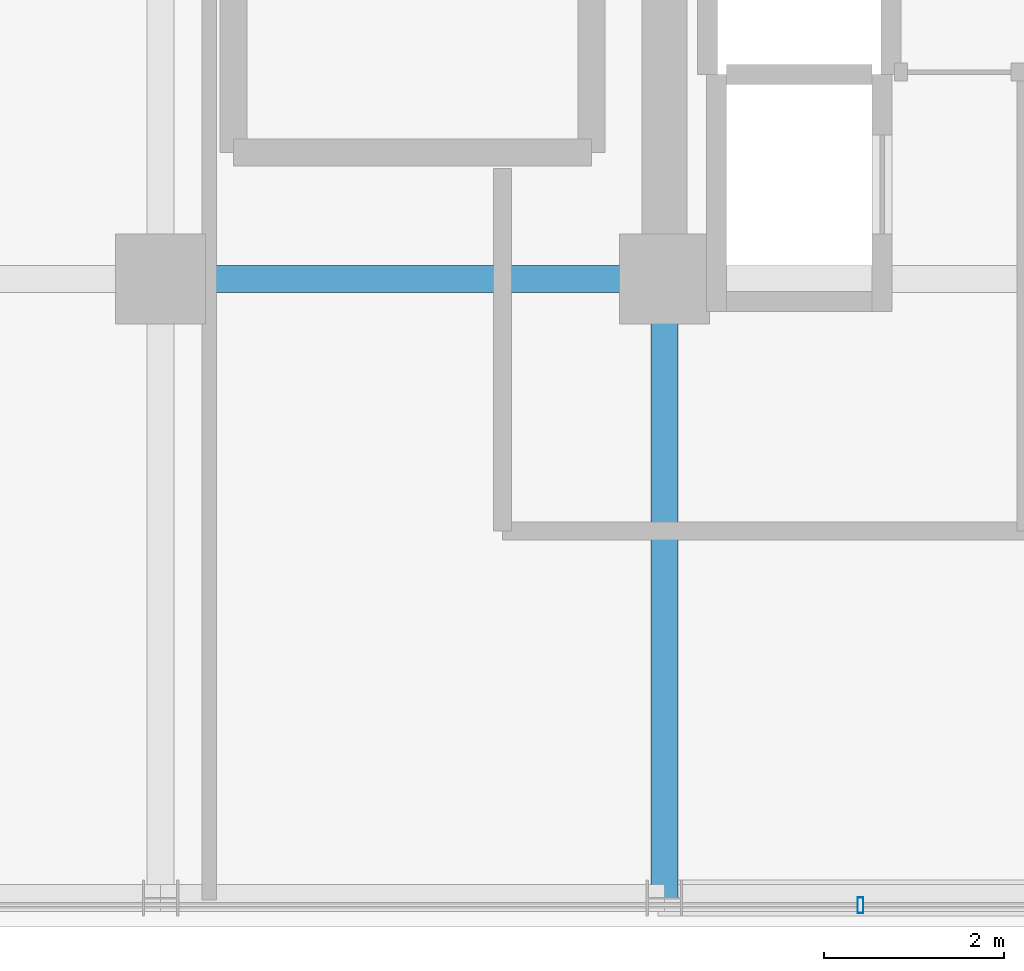
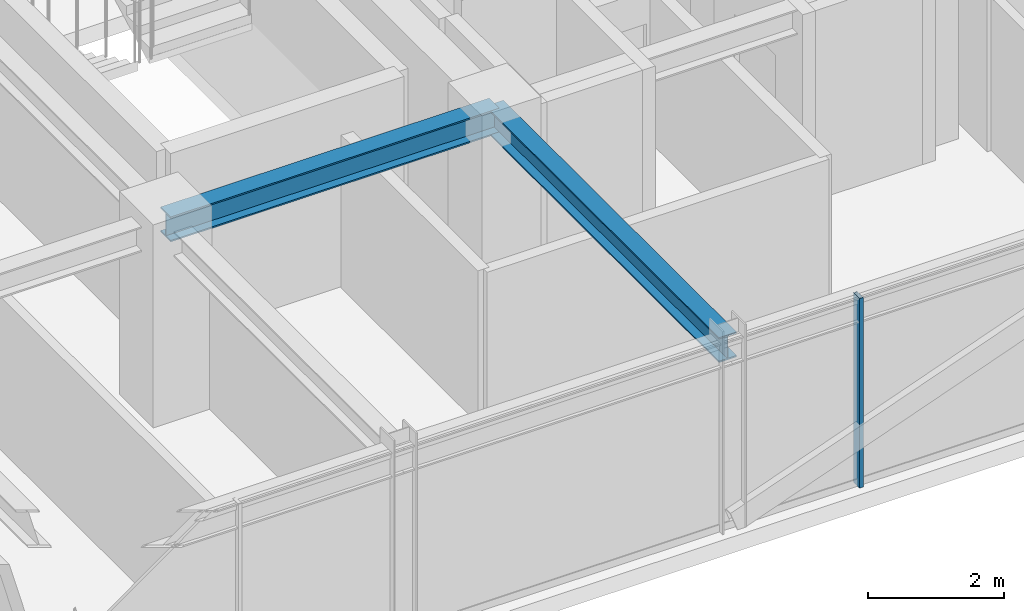
# One storey, part 12 of 36: 2 beams, 1 member, 1 element without a shape of its own.
"""IFC4 building model written with IfcOpenShell, lengths in metres."""

from ifc_helpers import new_model, si_unit, direction, frame, origin, origin_2d, place, context, subcontext, project, spatial, hollow_rectangle, i_section, extrude, source, transform, mapped, material, material_profile, profile_set, type_object, element, aggregate, save


model = new_model("IFC4")

# Units and contexts
model_context = context("Model", 3, precision=1e-05, world=origin(), true_north=direction((0.0, 1.0)))
body_context = subcontext(model_context, "Body", "Model", "MODEL_VIEW")
ifc_project = project(units=[si_unit("LENGTHUNIT", "METRE"), si_unit("AREAUNIT", "SQUARE_METRE"), si_unit("VOLUMEUNIT", "CUBIC_METRE"), si_unit("PLANEANGLEUNIT", "RADIAN"), si_unit("MASSUNIT", "GRAM", prefix="KILO")], contexts=[model_context])

# Site, building, storey
site_placement = place(None, origin())
site = spatial("IfcSite", under=ifc_project, at=site_placement, CompositionType="ELEMENT")
building_placement = place(site_placement, origin())
building = spatial("IfcBuilding", under=site, at=building_placement, Name="Nahalor Promenade Grand Hotel", CompositionType="ELEMENT")
storey_placement = place(building_placement, frame((0.0, 0.0, 241.89990234375)))
storey = spatial("IfcBuildingStorey", under=building, at=storey_placement, Name="L62", CompositionType="ELEMENT", Elevation=241.89990234375)

# Beams
ifc_material_1 = material(Name="Steel S355JR", Category="steel")
ifc_material_profile_1 = material_profile(ifc_material_1, i_section(OverallWidth=0.3, OverallDepth=0.45, WebThickness=0.014, FlangeThickness=0.026, at=origin_2d()), Name="HEB 450")
ifc_profile_set_1 = profile_set([ifc_material_profile_1], Name="Steel S355JR")
beam_type = type_object("IfcBeamType", Name="Beam-Girder-HEB450", PredefinedType="BEAM", material=ifc_profile_set_1)
shared_shape_1 = source(origin(), body_context, "Body", "SweptSolid", [
    extrude(i_section(OverallWidth=0.3, OverallDepth=0.45, WebThickness=0.014, FlangeThickness=0.026, at=origin_2d()), origin(), (0.0, 0.0, 1.0), 6.8798828125),
])
beam_1_placement = place(storey_placement, frame((8.39990234375, -23.8798828125, 3.18505859375), z_axis=(0.0, 1.0, 0.0), x_axis=(-1.0, 0.0, 0.0)))
element("IfcBeam", 1, at=beam_1_placement, inside=storey, type_object=beam_type, Name="BM-L62-GY-4-0", PredefinedType="BEAM", context=body_context, shape_type="MappedRepresentation", body=[
    mapped(shared_shape_1, transform((0.0, 0.0, 0.0), scale=1.0)),
])
shared_shape_2 = source(origin(), body_context, "Body", "SweptSolid", [
    extrude(i_section(OverallWidth=0.3, OverallDepth=0.45, WebThickness=0.014, FlangeThickness=0.026, at=origin_2d()), origin(), (0.0, 0.0, 1.0), 5.599853515625),
])
beam_2_placement = place(storey_placement, frame((2.800048828125, -17.0, 3.18505859375), z_axis=(1.0, 0.0, 0.0), x_axis=(0.0, 1.0, 0.0)))
element("IfcBeam", 2, at=beam_2_placement, inside=storey, type_object=beam_type, Name="BM-L62-GX-0-4", PredefinedType="BEAM", context=body_context, shape_type="MappedRepresentation", body=[
    mapped(shared_shape_2, transform((0.0, 0.0, 0.0), scale=1.0)),
])

# Curtain wall, member
ifc_material_2 = material(Name="Anodised Bronze Aluminium EN AW-6063 T6", Category="aluminium")
curtain_wall_type = type_object("IfcCurtainWallType", Name="CW2 Typical Hotel Flush Bronze Unitised Curtain Wall", PredefinedType="USERDEFINED", material=ifc_material_2)
curtain_wall_placement = place(storey_placement, origin())
curtain_wall = element("IfcCurtainWall", 3, at=curtain_wall_placement, inside=storey, type_object=curtain_wall_type, Name="L62 Curtain Wall CW-L62-S-1", ObjectType="UNITISED_CURTAIN_WALL", PredefinedType="USERDEFINED")
ifc_material_profile_2 = material_profile(ifc_material_2, hollow_rectangle(XDim=0.065, YDim=0.18, WallThickness=0.004, at=origin_2d()), Name="CWM 65x180x4")
ifc_profile_set_2 = profile_set([ifc_material_profile_2], Name="Anodised Bronze Aluminium EN AW-6063 T6")
member_type = type_object("IfcMemberType", Name="CWM2 Typical Bronze Mullion 65x180", PredefinedType="MULLION", material=ifc_profile_set_2)
shared_shape_3 = source(origin(), body_context, "Body", "SweptSolid", [
    extrude(hollow_rectangle(XDim=0.065, YDim=0.18, WallThickness=0.004, at=origin_2d()), origin(), (0.0, 0.0, 1.0), 3.41015625),
])
member_placement = place(storey_placement, frame((10.580078125, -23.9599609375, 0.0), z_axis=(0.0, 0.0, 1.0), x_axis=(1.0, 0.0, 0.0)))
member = element("IfcMember", 4, at=member_placement, type_object=member_type, Name="CW-L62-S-1 Mullion 3", PredefinedType="MULLION", context=body_context, shape_type="MappedRepresentation", body=[
    mapped(shared_shape_3, transform((0.0, 0.0, 0.0), scale=1.0)),
])
aggregate(curtain_wall, [member])

save(model, "model.ifc")
